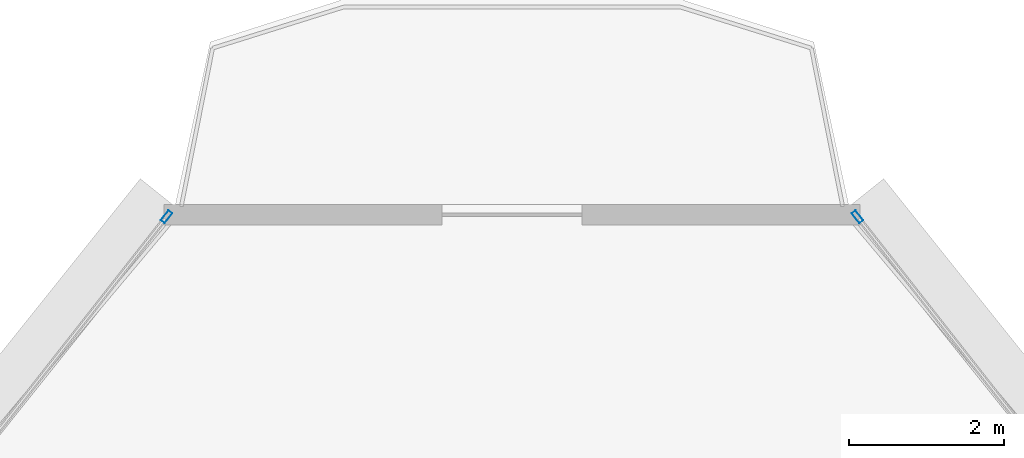
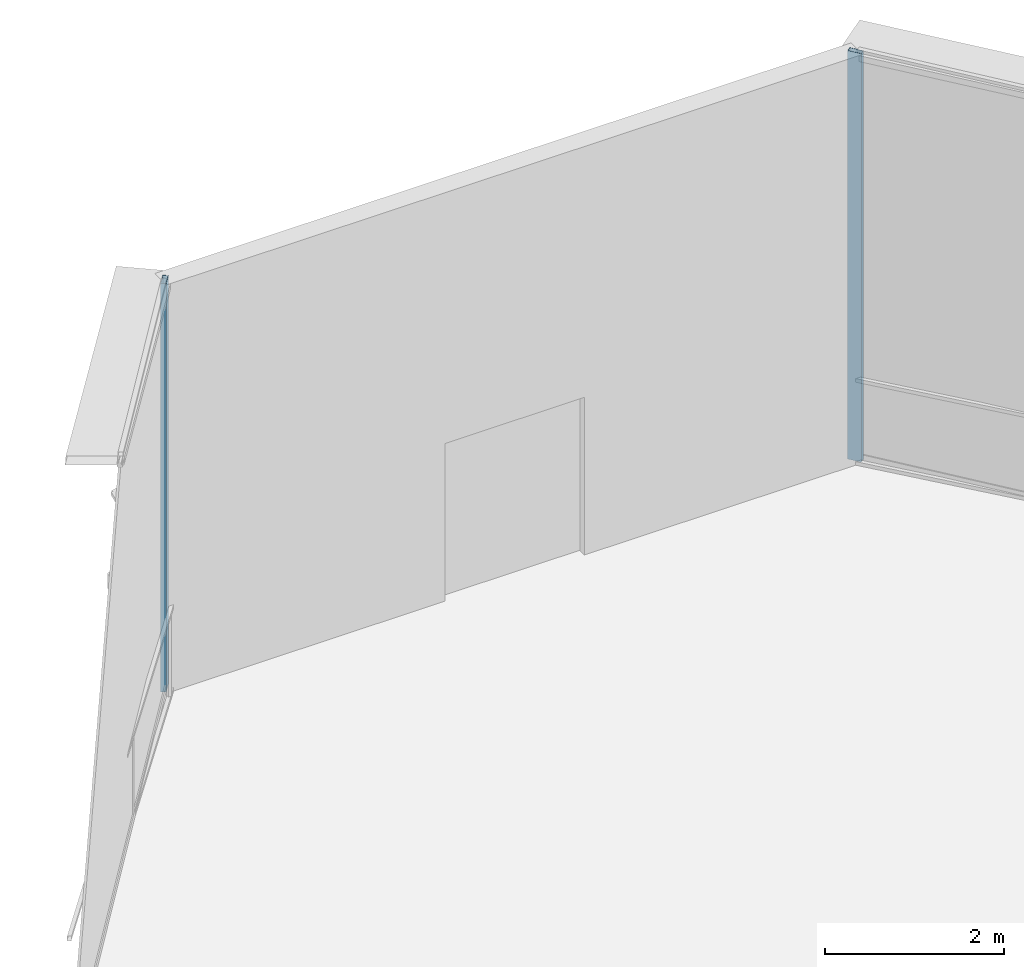
# One storey, part 25 of 36: 2 members, 2 elements without a shape of their own.
"""IFC4 building model written with IfcOpenShell, lengths in metres."""

from ifc_helpers import new_model, si_unit, direction, frame, origin, origin_2d, place, context, subcontext, project, spatial, hollow_rectangle, extrude, source, transform, mapped, material, layer, layer_set, material_profile, profile_set, type_object, element, aggregate, save


model = new_model("IFC4")

# Units and contexts
model_context = context("Model", 3, precision=1e-05, world=origin(), true_north=direction((0.0, 1.0)))
body_context = subcontext(model_context, "Body", "Model", "MODEL_VIEW")
ifc_project = project(units=[si_unit("LENGTHUNIT", "METRE"), si_unit("AREAUNIT", "SQUARE_METRE"), si_unit("VOLUMEUNIT", "CUBIC_METRE"), si_unit("PLANEANGLEUNIT", "RADIAN"), si_unit("MASSUNIT", "GRAM", prefix="KILO"), si_unit("THERMODYNAMICTEMPERATUREUNIT", "KELVIN"), si_unit("POWERUNIT", "WATT")], contexts=[model_context])

# Site, building, storey
site_placement = place(None, origin())
site = spatial("IfcSite", under=ifc_project, at=site_placement, CompositionType="ELEMENT")
building_placement = place(site_placement, origin())
building = spatial("IfcBuilding", under=site, at=building_placement, Name="Yunzhuo Pagoda Commons", CompositionType="ELEMENT")
storey_placement = place(building_placement, frame((0.0, 0.0, 119.179931640625)))
storey = spatial("IfcBuildingStorey", under=building, at=storey_placement, Name="L30", CompositionType="ELEMENT", Elevation=119.179931640625)

# Curtain wall, member
ifc_material = material(Name="Anodized aluminium 6063-T6", Category="aluminium")
ifc_layer = layer(ifc_material, 0.1650390625)
ifc_layer_set = layer_set([ifc_layer], Name="Anodized aluminium 6063-T6")
curtain_wall_type = type_object("IfcCurtainWallType", Name="CW-LOW Low-Zone Ribbon Curtain Wall", PredefinedType="NOTDEFINED", material=ifc_layer_set)
curtain_wall_1_placement = place(storey_placement, origin())
curtain_wall_1 = element("IfcCurtainWall", 1, at=curtain_wall_1_placement, inside=storey, type_object=curtain_wall_type, Name="L30 curtain wall CW-L30-F2B5", PredefinedType="NOTDEFINED")
ifc_material_profile = material_profile(ifc_material, hollow_rectangle(XDim=0.06494140625, YDim=0.1650390625, WallThickness=0.00390625, at=origin_2d()), Name="Anodized aluminium 6063-T6")
ifc_profile_set = profile_set([ifc_material_profile], Name="Anodized aluminium 6063-T6")
member_type = type_object("IfcMemberType", Name="CW-LOW-M Mullion RHS 165x65x4", PredefinedType="MULLION", material=ifc_profile_set)
shared_shape = source(origin(), body_context, "Body", "SweptSolid", [
    extrude(hollow_rectangle(XDim=0.06494140625, YDim=0.1650390625, WallThickness=0.00390625, at=origin_2d()), origin(), (0.0, 0.0, 1.0), 5.570068359375),
])
member_1_placement = place(storey_placement, frame((52.456787109375, 85.633056640625, 0.0), z_axis=(0.0, 0.0, 1.0), x_axis=(-0.786482396484, -0.617612694186, 0.0)))
member_1 = element("IfcMember", 2, at=member_1_placement, type_object=member_type, Name="CW mullion 2", PredefinedType="MULLION", context=body_context, shape_type="MappedRepresentation", body=[
    mapped(shared_shape, transform((0.0, 0.0, 0.0), scale=1.0)),
])
aggregate(curtain_wall_1, [member_1])

curtain_wall_2_placement = place(storey_placement, origin())
curtain_wall_2 = element("IfcCurtainWall", 3, at=curtain_wall_2_placement, inside=storey, type_object=curtain_wall_type, Name="L30 curtain wall CW-L30-F3B1", PredefinedType="NOTDEFINED")
member_2_placement = place(storey_placement, frame((43.543212890625, 85.633056640625, 0.0), z_axis=(0.0, 0.0, 1.0), x_axis=(0.786482396484, -0.617612694186, 0.0)))
member_2 = element("IfcMember", 4, at=member_2_placement, type_object=member_type, Name="CW mullion 1", PredefinedType="MULLION", context=body_context, shape_type="MappedRepresentation", body=[
    mapped(shared_shape, transform((0.0, 0.0, 0.0), scale=1.0)),
])
aggregate(curtain_wall_2, [member_2])

save(model, "model.ifc")
